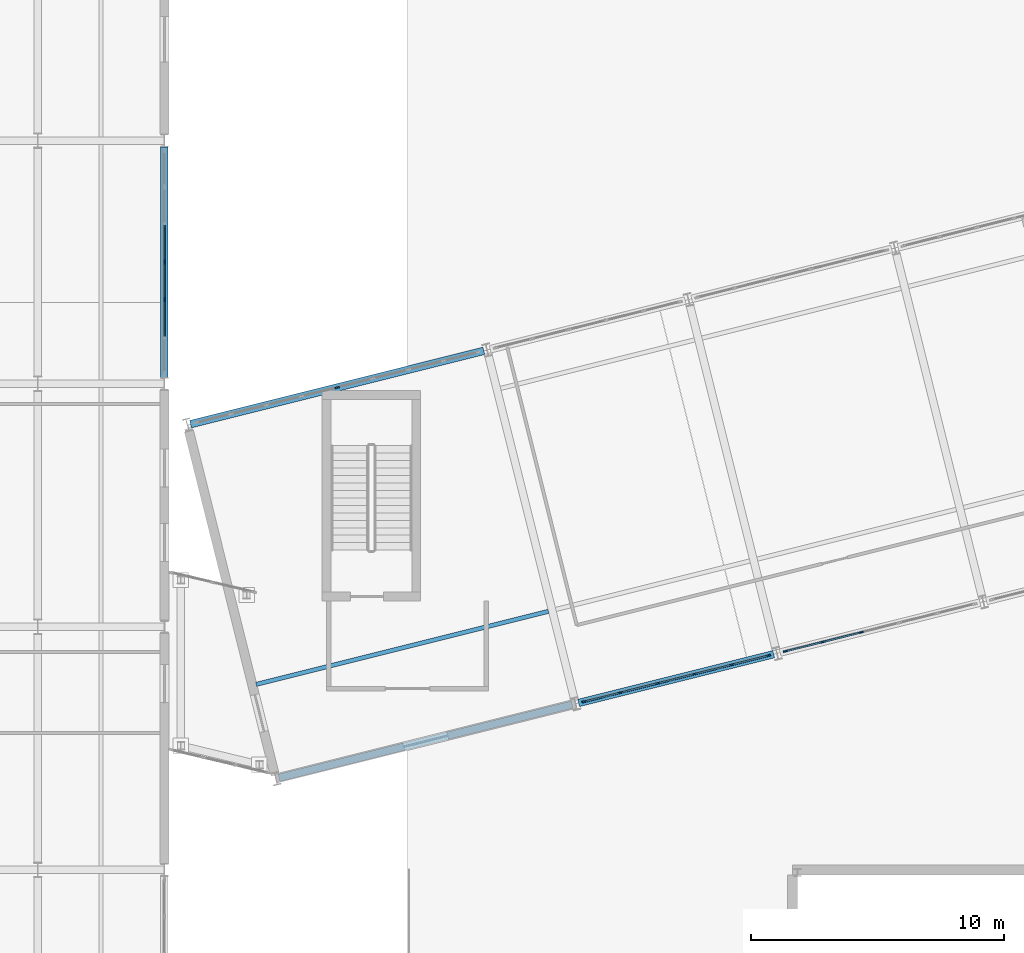
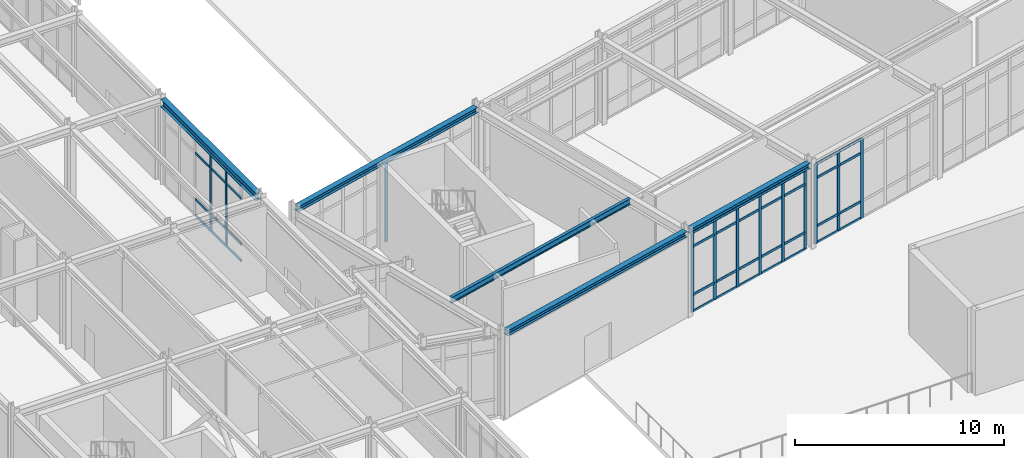
# One storey, part 25 of 109: 52 members, 5 beams, 4 elements without a shape of their own.
"""IFC4 building model written with IfcOpenShell, lengths in metres."""

from ifc_helpers import new_model, si_unit, direction, frame, origin, origin_2d, place, context, subcontext, project, spatial, rectangle, i_section, extrude, material, layer, layer_set, material_profile, profile_set, type_object, element, aggregate, save


model = new_model("IFC4")

# Units and contexts
model_context = context("Model", 3, precision=1e-05, world=origin(), true_north=direction((0.0, 1.0)))
body_context = subcontext(model_context, "Body", "Model", "MODEL_VIEW")
ifc_project = project(units=[si_unit("LENGTHUNIT", "METRE"), si_unit("AREAUNIT", "SQUARE_METRE"), si_unit("VOLUMEUNIT", "CUBIC_METRE"), si_unit("PLANEANGLEUNIT", "RADIAN"), si_unit("MASSUNIT", "GRAM", prefix="KILO")], contexts=[model_context])

# Site, building, storey
site_placement = place(None, origin())
site = spatial("IfcSite", under=ifc_project, at=site_placement, CompositionType="ELEMENT")
building_placement = place(site_placement, origin())
building = spatial("IfcBuilding", under=site, at=building_placement, Name="Nordkorset Police Headquarters", CompositionType="ELEMENT")
storey_placement = place(building_placement, origin())
storey = spatial("IfcBuildingStorey", under=building, at=storey_placement, Name="L00", CompositionType="ELEMENT", Elevation=0.0)

# Beam
ifc_material_1 = material(Name="Steel S355J2", Category="steel")
ifc_material_profile_1 = material_profile(ifc_material_1, i_section(OverallWidth=0.169921875, OverallDepth=0.360107421875, WebThickness=0.008056640625, FlangeThickness=0.0126953125, FilletRadius=0.01806640625, at=origin_2d()), Name="IPE 360")
ifc_profile_set_1 = profile_set([ifc_material_profile_1], Name="Steel S355J2")
beam_type_1 = type_object("IfcBeamType", Name="Beam_IPE_360", PredefinedType="BEAM", material=ifc_profile_set_1)
beam_1_placement = place(storey_placement, frame((22.823974609375, 45.722900390625, 4.820068359375), z_axis=(0.970141293308, 0.242540452333, 0.0), x_axis=(-0.242540452333, 0.970141293308, 0.0)))
element("IfcBeam", 1, at=beam_1_placement, inside=storey, type_object=beam_type_1, Name="Splayed Wing Secondary Beam L00 0-1", PredefinedType="BEAM", context=body_context, shape_type="SweptSolid", body=[
    extrude(i_section(OverallWidth=0.169921875, OverallDepth=0.360107421875, WebThickness=0.008056640625, FlangeThickness=0.0126953125, FilletRadius=0.01806640625, at=origin_2d()), origin(), (0.0, 0.0, 1.0), 11.89990234375),
])

# Curtain wall, members
ifc_material_2 = material(Name="Aluminium alloy AW-6060", Category="aluminium")
ifc_layer_1 = layer(ifc_material_2, 0.179931640625, Name="Aluminium alloy AW-6060")
ifc_layer_set_1 = layer_set([ifc_layer_1], Name="Aluminium alloy AW-6060")
curtain_wall_type_1 = type_object("IfcCurtainWallType", Name="CW_Unit_888x454", PredefinedType="USERDEFINED", material=ifc_layer_set_1)
curtain_wall_1_placement = place(storey_placement, origin())
curtain_wall_1 = element("IfcCurtainWall", 2, at=curtain_wall_1_placement, inside=storey, type_object=curtain_wall_type_1, Name="Unitised Curtain Wall L00 V3E-3", ObjectType="UNITISED CURTAIN WALL", PredefinedType="USERDEFINED")
ifc_material_3 = material(Name="Aluminium alloy AW-6060", Category="aluminium")
ifc_material_profile_2 = material_profile(ifc_material_3, rectangle(XDim=0.06494140625, YDim=0.179931640625, at=origin_2d()), Name="ALU MULL 65x180")
ifc_profile_set_2 = profile_set([ifc_material_profile_2], Name="Aluminium alloy AW-6060")
member_type_1 = type_object("IfcMemberType", Name="CW_Mullion_65x180", PredefinedType="MULLION", material=ifc_profile_set_2)
member_1_placement = place(storey_placement, frame((19.199951171875, 60.919921875, 0.0), z_axis=(0.0, 0.0, 1.0), x_axis=(-1.0, 0.0, 0.0)))
member_1 = element("IfcMember", 3, at=member_1_placement, type_object=member_type_1, Name="CW-82 mullion 3", PredefinedType="MULLION", context=body_context, shape_type="SweptSolid", body=[
    extrude(rectangle(XDim=0.06494140625, YDim=0.179931640625, at=origin_2d()), origin(), (0.0, 0.0, 1.0), 4.5400390625),
])
member_2_placement = place(storey_placement, frame((19.199951171875, 62.39990234375, 0.0), z_axis=(0.0, 0.0, 1.0), x_axis=(-1.0, 0.0, 0.0)))
member_2 = element("IfcMember", 4, at=member_2_placement, type_object=member_type_1, Name="CW-82 mullion 4", PredefinedType="MULLION", context=body_context, shape_type="SweptSolid", body=[
    extrude(rectangle(XDim=0.06494140625, YDim=0.179931640625, at=origin_2d()), origin(), (0.0, 0.0, 1.0), 4.5400390625),
])

# Curtain wall, member
ifc_material_4 = material(Name="Aluminium alloy AW-6060", Category="aluminium")
ifc_layer_2 = layer(ifc_material_4, 0.179931640625, Name="Aluminium alloy AW-6060")
ifc_layer_set_2 = layer_set([ifc_layer_2], Name="Aluminium alloy AW-6060")
curtain_wall_type_2 = type_object("IfcCurtainWallType", Name="CW_Unit_1156x467", PredefinedType="USERDEFINED", material=ifc_layer_set_2)
curtain_wall_2_placement = place(storey_placement, origin())
curtain_wall_2 = element("IfcCurtainWall", 5, at=curtain_wall_2_placement, inside=storey, type_object=curtain_wall_type_2, Name="Unitised Curtain Wall L00 V4N-0", ObjectType="UNITISED CURTAIN WALL", PredefinedType="USERDEFINED")
member_3_placement = place(storey_placement, frame((26.025390625, 57.449462890625, 0.0), z_axis=(0.0, 0.0, 1.0), x_axis=(-0.242536235663, 0.970142347489, 0.0)))
member_3 = element("IfcMember", 6, at=member_3_placement, type_object=member_type_1, Name="CW-93 mullion 5", PredefinedType="MULLION", context=body_context, shape_type="SweptSolid", body=[
    extrude(rectangle(XDim=0.06494140625, YDim=0.179931640625, at=origin_2d()), origin(), (0.0, 0.0, 1.0), 4.669921875),
])
aggregate(curtain_wall_2, [member_3])

# Curtain wall, members
ifc_material_5 = material(Name="Aluminium alloy AW-6060", Category="aluminium")
ifc_layer_3 = layer(ifc_material_5, 0.179931640625, Name="Aluminium alloy AW-6060")
ifc_layer_set_3 = layer_set([ifc_layer_3], Name="Aluminium alloy AW-6060")
curtain_wall_type_3 = type_object("IfcCurtainWallType", Name="CW_Unit_756x467", PredefinedType="USERDEFINED", material=ifc_layer_set_3)
curtain_wall_3_placement = place(storey_placement, origin())
curtain_wall_3 = element("IfcCurtainWall", 7, at=curtain_wall_3_placement, inside=storey, type_object=curtain_wall_type_3, Name="Unitised Curtain Wall L00 V4S-1", ObjectType="UNITISED CURTAIN WALL", PredefinedType="USERDEFINED")
member_4_placement = place(storey_placement, frame((35.777587890625, 45.04443359375, 0.0), z_axis=(0.0, 0.0, 1.0), x_axis=(-0.242535625038, 0.970142500145, 0.0)))
member_4 = element("IfcMember", 8, at=member_4_placement, type_object=member_type_1, Name="CW-54 mullion 1", PredefinedType="MULLION", context=body_context, shape_type="SweptSolid", body=[
    extrude(rectangle(XDim=0.06494140625, YDim=0.179931640625, at=origin_2d()), origin(), (0.0, 0.0, 1.0), 4.669921875),
])
member_5_placement = place(storey_placement, frame((37.213134765625, 45.4033203125, 0.0), z_axis=(0.0, 0.0, 1.0), x_axis=(-0.242535625038, 0.970142500145, 0.0)))
member_5 = element("IfcMember", 9, at=member_5_placement, type_object=member_type_1, Name="CW-54 mullion 2", PredefinedType="MULLION", context=body_context, shape_type="SweptSolid", body=[
    extrude(rectangle(XDim=0.06494140625, YDim=0.179931640625, at=origin_2d()), origin(), (0.0, 0.0, 1.0), 4.669921875),
])
member_6_placement = place(storey_placement, frame((38.679931640625, 45.77001953125, 0.0), z_axis=(0.0, 0.0, 1.0), x_axis=(-0.242535625038, 0.970142500145, 0.0)))
member_6 = element("IfcMember", 10, at=member_6_placement, type_object=member_type_1, Name="CW-54 mullion 3", PredefinedType="MULLION", context=body_context, shape_type="SweptSolid", body=[
    extrude(rectangle(XDim=0.06494140625, YDim=0.179931640625, at=origin_2d()), origin(), (0.0, 0.0, 1.0), 4.669921875),
])
member_7_placement = place(storey_placement, frame((40.146728515625, 46.13671875, 0.0), z_axis=(0.0, 0.0, 1.0), x_axis=(-0.242535625038, 0.970142500145, 0.0)))
member_7 = element("IfcMember", 11, at=member_7_placement, type_object=member_type_1, Name="CW-54 mullion 4", PredefinedType="MULLION", context=body_context, shape_type="SweptSolid", body=[
    extrude(rectangle(XDim=0.06494140625, YDim=0.179931640625, at=origin_2d()), origin(), (0.0, 0.0, 1.0), 4.669921875),
])
member_8_placement = place(storey_placement, frame((41.613525390625, 46.50341796875, 0.0), z_axis=(0.0, 0.0, 1.0), x_axis=(-0.242535625038, 0.970142500145, 0.0)))
member_8 = element("IfcMember", 12, at=member_8_placement, type_object=member_type_1, Name="CW-54 mullion 5", PredefinedType="MULLION", context=body_context, shape_type="SweptSolid", body=[
    extrude(rectangle(XDim=0.06494140625, YDim=0.179931640625, at=origin_2d()), origin(), (0.0, 0.0, 1.0), 4.669921875),
])
member_9_placement = place(storey_placement, frame((43.048828125, 46.8623046875, 0.0), z_axis=(0.0, 0.0, 1.0), x_axis=(-0.242535625038, 0.970142500145, 0.0)))
member_9 = element("IfcMember", 13, at=member_9_placement, type_object=member_type_1, Name="CW-54 mullion 6", PredefinedType="MULLION", context=body_context, shape_type="SweptSolid", body=[
    extrude(rectangle(XDim=0.06494140625, YDim=0.179931640625, at=origin_2d()), origin(), (0.0, 0.0, 1.0), 4.669921875),
])

ifc_material_6 = material(Name="Aluminium alloy AW-6060", Category="aluminium")
ifc_layer_4 = layer(ifc_material_6, 0.179931640625, Name="Aluminium alloy AW-6060")
ifc_layer_set_4 = layer_set([ifc_layer_4], Name="Aluminium alloy AW-6060")
curtain_wall_type_4 = type_object("IfcCurtainWallType", Name="CW_Unit_776x467", PredefinedType="USERDEFINED", material=ifc_layer_set_4)
curtain_wall_4_placement = place(storey_placement, origin())
curtain_wall_4 = element("IfcCurtainWall", 14, at=curtain_wall_4_placement, inside=storey, type_object=curtain_wall_type_4, Name="Unitised Curtain Wall L00 V4S-2", ObjectType="UNITISED CURTAIN WALL", PredefinedType="USERDEFINED")
member_10_placement = place(storey_placement, frame((43.73291015625, 47.033203125, 0.0), z_axis=(0.0, 0.0, 1.0), x_axis=(-0.24253471539, 0.970142727556, 0.0)))
member_10 = element("IfcMember", 15, at=member_10_placement, type_object=member_type_1, Name="CW-99 mullion 1", PredefinedType="MULLION", context=body_context, shape_type="SweptSolid", body=[
    extrude(rectangle(XDim=0.06494140625, YDim=0.179931640625, at=origin_2d()), origin(), (0.0, 0.0, 1.0), 4.669921875),
])
member_11_placement = place(storey_placement, frame((45.20703125, 47.40185546875, 0.0), z_axis=(0.0, 0.0, 1.0), x_axis=(-0.24253471539, 0.970142727556, 0.0)))
member_11 = element("IfcMember", 16, at=member_11_placement, type_object=member_type_1, Name="CW-99 mullion 2", PredefinedType="MULLION", context=body_context, shape_type="SweptSolid", body=[
    extrude(rectangle(XDim=0.06494140625, YDim=0.179931640625, at=origin_2d()), origin(), (0.0, 0.0, 1.0), 4.669921875),
])
member_12_placement = place(storey_placement, frame((46.712646484375, 47.778076171875, 0.0), z_axis=(0.0, 0.0, 1.0), x_axis=(-0.24253471539, 0.970142727556, 0.0)))
member_12 = element("IfcMember", 17, at=member_12_placement, type_object=member_type_1, Name="CW-99 mullion 3", PredefinedType="MULLION", context=body_context, shape_type="SweptSolid", body=[
    extrude(rectangle(XDim=0.06494140625, YDim=0.179931640625, at=origin_2d()), origin(), (0.0, 0.0, 1.0), 4.669921875),
])

# Member
ifc_material_7 = material(Name="Aluminium alloy AW-6060", Category="aluminium")
ifc_material_profile_3 = material_profile(ifc_material_7, rectangle(XDim=0.06494140625, YDim=0.139892578125, at=origin_2d()), Name="ALU TRAN 65x140")
ifc_profile_set_3 = profile_set([ifc_material_profile_3], Name="Aluminium alloy AW-6060")
member_type_2 = type_object("IfcMemberType", Name="CW_Transom_65x140", PredefinedType="USERDEFINED", material=ifc_profile_set_3)
member_13_placement = place(storey_placement, frame((19.199951171875, 59.472412109375, 0.032470703125), z_axis=(0.0, 1.0, 0.0), x_axis=(-1.0, 0.0, 0.0)))
member_13 = element("IfcMember", 18, at=member_13_placement, type_object=member_type_2, Name="CW-82 transom 2.1", ObjectType="TRANSOM", PredefinedType="USERDEFINED", context=body_context, shape_type="SweptSolid", body=[
    extrude(rectangle(XDim=0.06494140625, YDim=0.139892578125, at=origin_2d()), origin(), (0.0, 0.0, 1.0), 1.4150390625),
])

member_14_placement = place(storey_placement, frame((19.199951171875, 59.472412109375, 1.0), z_axis=(0.0, 1.0, 0.0), x_axis=(-1.0, 0.0, 0.0)))
member_14 = element("IfcMember", 19, at=member_14_placement, type_object=member_type_2, Name="CW-82 transom 2.2", ObjectType="TRANSOM", PredefinedType="USERDEFINED", context=body_context, shape_type="SweptSolid", body=[
    extrude(rectangle(XDim=0.06494140625, YDim=0.139892578125, at=origin_2d()), origin(), (0.0, 0.0, 1.0), 1.4150390625),
])

member_15_placement = place(storey_placement, frame((19.199951171875, 59.472412109375, 3.68994140625), z_axis=(0.0, 1.0, 0.0), x_axis=(-1.0, 0.0, 0.0)))
member_15 = element("IfcMember", 20, at=member_15_placement, type_object=member_type_2, Name="CW-82 transom 2.3", ObjectType="TRANSOM", PredefinedType="USERDEFINED", context=body_context, shape_type="SweptSolid", body=[
    extrude(rectangle(XDim=0.06494140625, YDim=0.139892578125, at=origin_2d()), origin(), (0.0, 0.0, 1.0), 1.4150390625),
])

member_16_placement = place(storey_placement, frame((19.199951171875, 59.472412109375, 4.507568359375), z_axis=(0.0, 1.0, 0.0), x_axis=(-1.0, 0.0, 0.0)))
member_16 = element("IfcMember", 21, at=member_16_placement, type_object=member_type_2, Name="CW-82 transom 2.4", ObjectType="TRANSOM", PredefinedType="USERDEFINED", context=body_context, shape_type="SweptSolid", body=[
    extrude(rectangle(XDim=0.06494140625, YDim=0.139892578125, at=origin_2d()), origin(), (0.0, 0.0, 1.0), 1.4150390625),
])

member_17_placement = place(storey_placement, frame((19.199951171875, 60.952392578125, 0.032470703125), z_axis=(0.0, 1.0, 0.0), x_axis=(-1.0, 0.0, 0.0)))
member_17 = element("IfcMember", 22, at=member_17_placement, type_object=member_type_2, Name="CW-82 transom 3.1", ObjectType="TRANSOM", PredefinedType="USERDEFINED", context=body_context, shape_type="SweptSolid", body=[
    extrude(rectangle(XDim=0.06494140625, YDim=0.139892578125, at=origin_2d()), origin(), (0.0, 0.0, 1.0), 1.4150390625),
])

member_18_placement = place(storey_placement, frame((19.199951171875, 60.952392578125, 1.0), z_axis=(0.0, 1.0, 0.0), x_axis=(-1.0, 0.0, 0.0)))
member_18 = element("IfcMember", 23, at=member_18_placement, type_object=member_type_2, Name="CW-82 transom 3.2", ObjectType="TRANSOM", PredefinedType="USERDEFINED", context=body_context, shape_type="SweptSolid", body=[
    extrude(rectangle(XDim=0.06494140625, YDim=0.139892578125, at=origin_2d()), origin(), (0.0, 0.0, 1.0), 1.4150390625),
])

member_19_placement = place(storey_placement, frame((19.199951171875, 60.952392578125, 3.68994140625), z_axis=(0.0, 1.0, 0.0), x_axis=(-1.0, 0.0, 0.0)))
member_19 = element("IfcMember", 24, at=member_19_placement, type_object=member_type_2, Name="CW-82 transom 3.3", ObjectType="TRANSOM", PredefinedType="USERDEFINED", context=body_context, shape_type="SweptSolid", body=[
    extrude(rectangle(XDim=0.06494140625, YDim=0.139892578125, at=origin_2d()), origin(), (0.0, 0.0, 1.0), 1.4150390625),
])

member_20_placement = place(storey_placement, frame((19.199951171875, 60.952392578125, 4.507568359375), z_axis=(0.0, 1.0, 0.0), x_axis=(-1.0, 0.0, 0.0)))
member_20 = element("IfcMember", 25, at=member_20_placement, type_object=member_type_2, Name="CW-82 transom 3.4", ObjectType="TRANSOM", PredefinedType="USERDEFINED", context=body_context, shape_type="SweptSolid", body=[
    extrude(rectangle(XDim=0.06494140625, YDim=0.139892578125, at=origin_2d()), origin(), (0.0, 0.0, 1.0), 1.4150390625),
])

member_21_placement = place(storey_placement, frame((19.199951171875, 62.4326171875, 0.032470703125), z_axis=(0.0, 1.0, 0.0), x_axis=(-1.0, 0.0, 0.0)))
member_21 = element("IfcMember", 26, at=member_21_placement, type_object=member_type_2, Name="CW-82 transom 4.1", ObjectType="TRANSOM", PredefinedType="USERDEFINED", context=body_context, shape_type="SweptSolid", body=[
    extrude(rectangle(XDim=0.06494140625, YDim=0.139892578125, at=origin_2d()), origin(), (0.0, 0.0, 1.0), 1.414794921875),
])

member_22_placement = place(storey_placement, frame((19.199951171875, 62.4326171875, 1.0), z_axis=(0.0, 1.0, 0.0), x_axis=(-1.0, 0.0, 0.0)))
member_22 = element("IfcMember", 27, at=member_22_placement, type_object=member_type_2, Name="CW-82 transom 4.2", ObjectType="TRANSOM", PredefinedType="USERDEFINED", context=body_context, shape_type="SweptSolid", body=[
    extrude(rectangle(XDim=0.06494140625, YDim=0.139892578125, at=origin_2d()), origin(), (0.0, 0.0, 1.0), 1.414794921875),
])

member_23_placement = place(storey_placement, frame((19.199951171875, 62.4326171875, 3.68994140625), z_axis=(0.0, 1.0, 0.0), x_axis=(-1.0, 0.0, 0.0)))
member_23 = element("IfcMember", 28, at=member_23_placement, type_object=member_type_2, Name="CW-82 transom 4.3", ObjectType="TRANSOM", PredefinedType="USERDEFINED", context=body_context, shape_type="SweptSolid", body=[
    extrude(rectangle(XDim=0.06494140625, YDim=0.139892578125, at=origin_2d()), origin(), (0.0, 0.0, 1.0), 1.414794921875),
])

member_24_placement = place(storey_placement, frame((19.199951171875, 62.4326171875, 4.507568359375), z_axis=(0.0, 1.0, 0.0), x_axis=(-1.0, 0.0, 0.0)))
member_24 = element("IfcMember", 29, at=member_24_placement, type_object=member_type_2, Name="CW-82 transom 4.4", ObjectType="TRANSOM", PredefinedType="USERDEFINED", context=body_context, shape_type="SweptSolid", body=[
    extrude(rectangle(XDim=0.06494140625, YDim=0.139892578125, at=origin_2d()), origin(), (0.0, 0.0, 1.0), 1.414794921875),
])

aggregate(curtain_wall_1, [member_1, member_2, member_13, member_14, member_15, member_16, member_17, member_18, member_19, member_20, member_21, member_22, member_23, member_24])

member_25_placement = place(storey_placement, frame((35.809326171875, 45.05224609375, 0.032470703125), z_axis=(0.970142500145, 0.242535625036, 0.0), x_axis=(-0.242535625036, 0.970142500145, 0.0)))
member_25 = element("IfcMember", 30, at=member_25_placement, type_object=member_type_2, Name="CW-54 transom 1.1", ObjectType="TRANSOM", PredefinedType="USERDEFINED", context=body_context, shape_type="SweptSolid", body=[
    extrude(rectangle(XDim=0.06494140625, YDim=0.139892578125, at=origin_2d()), origin(), (0.0, 0.0, 1.0), 1.414306640625),
])

member_26_placement = place(storey_placement, frame((35.809326171875, 45.05224609375, 1.0), z_axis=(0.970142500145, 0.242535625036, 0.0), x_axis=(-0.242535625036, 0.970142500145, 0.0)))
member_26 = element("IfcMember", 31, at=member_26_placement, type_object=member_type_2, Name="CW-54 transom 1.2", ObjectType="TRANSOM", PredefinedType="USERDEFINED", context=body_context, shape_type="SweptSolid", body=[
    extrude(rectangle(XDim=0.06494140625, YDim=0.139892578125, at=origin_2d()), origin(), (0.0, 0.0, 1.0), 1.414306640625),
])

member_27_placement = place(storey_placement, frame((35.809326171875, 45.05224609375, 3.820068359375), z_axis=(0.970142500145, 0.242535625036, 0.0), x_axis=(-0.242535625036, 0.970142500145, 0.0)))
member_27 = element("IfcMember", 32, at=member_27_placement, type_object=member_type_2, Name="CW-54 transom 1.3", ObjectType="TRANSOM", PredefinedType="USERDEFINED", context=body_context, shape_type="SweptSolid", body=[
    extrude(rectangle(XDim=0.06494140625, YDim=0.139892578125, at=origin_2d()), origin(), (0.0, 0.0, 1.0), 1.414306640625),
])

member_28_placement = place(storey_placement, frame((35.809326171875, 45.05224609375, 4.637451171875), z_axis=(0.970142500145, 0.242535625036, 0.0), x_axis=(-0.242535625036, 0.970142500145, 0.0)))
member_28 = element("IfcMember", 33, at=member_28_placement, type_object=member_type_2, Name="CW-54 transom 1.4", ObjectType="TRANSOM", PredefinedType="USERDEFINED", context=body_context, shape_type="SweptSolid", body=[
    extrude(rectangle(XDim=0.06494140625, YDim=0.139892578125, at=origin_2d()), origin(), (0.0, 0.0, 1.0), 1.414306640625),
])

member_29_placement = place(storey_placement, frame((37.24462890625, 45.4111328125, 0.032470703125), z_axis=(0.97012264784, 0.242615020451, 0.0), x_axis=(-0.242615020451, 0.97012264784, 0.0)))
member_29 = element("IfcMember", 34, at=member_29_placement, type_object=member_type_2, Name="CW-54 transom 2.1", ObjectType="TRANSOM", PredefinedType="USERDEFINED", context=body_context, shape_type="SweptSolid", body=[
    extrude(rectangle(XDim=0.06494140625, YDim=0.139892578125, at=origin_2d()), origin(), (0.0, 0.0, 1.0), 1.447021484375),
])

member_30_placement = place(storey_placement, frame((37.24462890625, 45.4111328125, 1.0), z_axis=(0.97012264784, 0.242615020451, 0.0), x_axis=(-0.242615020451, 0.97012264784, 0.0)))
member_30 = element("IfcMember", 35, at=member_30_placement, type_object=member_type_2, Name="CW-54 transom 2.2", ObjectType="TRANSOM", PredefinedType="USERDEFINED", context=body_context, shape_type="SweptSolid", body=[
    extrude(rectangle(XDim=0.06494140625, YDim=0.139892578125, at=origin_2d()), origin(), (0.0, 0.0, 1.0), 1.447021484375),
])

member_31_placement = place(storey_placement, frame((37.24462890625, 45.4111328125, 3.820068359375), z_axis=(0.97012264784, 0.242615020451, 0.0), x_axis=(-0.242615020451, 0.97012264784, 0.0)))
member_31 = element("IfcMember", 36, at=member_31_placement, type_object=member_type_2, Name="CW-54 transom 2.3", ObjectType="TRANSOM", PredefinedType="USERDEFINED", context=body_context, shape_type="SweptSolid", body=[
    extrude(rectangle(XDim=0.06494140625, YDim=0.139892578125, at=origin_2d()), origin(), (0.0, 0.0, 1.0), 1.447021484375),
])

member_32_placement = place(storey_placement, frame((37.24462890625, 45.4111328125, 4.637451171875), z_axis=(0.97012264784, 0.242615020451, 0.0), x_axis=(-0.242615020451, 0.97012264784, 0.0)))
member_32 = element("IfcMember", 37, at=member_32_placement, type_object=member_type_2, Name="CW-54 transom 2.4", ObjectType="TRANSOM", PredefinedType="USERDEFINED", context=body_context, shape_type="SweptSolid", body=[
    extrude(rectangle(XDim=0.06494140625, YDim=0.139892578125, at=origin_2d()), origin(), (0.0, 0.0, 1.0), 1.447021484375),
])

member_33_placement = place(storey_placement, frame((38.71142578125, 45.77783203125, 0.032470703125), z_axis=(0.97012264784, 0.242615020451, 0.0), x_axis=(-0.242615020451, 0.97012264784, 0.0)))
member_33 = element("IfcMember", 38, at=member_33_placement, type_object=member_type_2, Name="CW-54 transom 3.1", ObjectType="TRANSOM", PredefinedType="USERDEFINED", context=body_context, shape_type="SweptSolid", body=[
    extrude(rectangle(XDim=0.06494140625, YDim=0.139892578125, at=origin_2d()), origin(), (0.0, 0.0, 1.0), 1.447021484375),
])

member_34_placement = place(storey_placement, frame((38.71142578125, 45.77783203125, 1.0), z_axis=(0.97012264784, 0.242615020451, 0.0), x_axis=(-0.242615020451, 0.97012264784, 0.0)))
member_34 = element("IfcMember", 39, at=member_34_placement, type_object=member_type_2, Name="CW-54 transom 3.2", ObjectType="TRANSOM", PredefinedType="USERDEFINED", context=body_context, shape_type="SweptSolid", body=[
    extrude(rectangle(XDim=0.06494140625, YDim=0.139892578125, at=origin_2d()), origin(), (0.0, 0.0, 1.0), 1.447021484375),
])

member_35_placement = place(storey_placement, frame((38.71142578125, 45.77783203125, 3.820068359375), z_axis=(0.97012264784, 0.242615020451, 0.0), x_axis=(-0.242615020451, 0.97012264784, 0.0)))
member_35 = element("IfcMember", 40, at=member_35_placement, type_object=member_type_2, Name="CW-54 transom 3.3", ObjectType="TRANSOM", PredefinedType="USERDEFINED", context=body_context, shape_type="SweptSolid", body=[
    extrude(rectangle(XDim=0.06494140625, YDim=0.139892578125, at=origin_2d()), origin(), (0.0, 0.0, 1.0), 1.447021484375),
])

member_36_placement = place(storey_placement, frame((38.71142578125, 45.77783203125, 4.637451171875), z_axis=(0.97012264784, 0.242615020451, 0.0), x_axis=(-0.242615020451, 0.97012264784, 0.0)))
member_36 = element("IfcMember", 41, at=member_36_placement, type_object=member_type_2, Name="CW-54 transom 3.4", ObjectType="TRANSOM", PredefinedType="USERDEFINED", context=body_context, shape_type="SweptSolid", body=[
    extrude(rectangle(XDim=0.06494140625, YDim=0.139892578125, at=origin_2d()), origin(), (0.0, 0.0, 1.0), 1.447021484375),
])

member_37_placement = place(storey_placement, frame((40.17822265625, 46.14453125, 0.032470703125), z_axis=(0.97012264784, 0.242615020451, 0.0), x_axis=(-0.242615020451, 0.97012264784, 0.0)))
member_37 = element("IfcMember", 42, at=member_37_placement, type_object=member_type_2, Name="CW-54 transom 4.1", ObjectType="TRANSOM", PredefinedType="USERDEFINED", context=body_context, shape_type="SweptSolid", body=[
    extrude(rectangle(XDim=0.06494140625, YDim=0.139892578125, at=origin_2d()), origin(), (0.0, 0.0, 1.0), 1.447021484375),
])

member_38_placement = place(storey_placement, frame((40.17822265625, 46.14453125, 1.0), z_axis=(0.97012264784, 0.242615020451, 0.0), x_axis=(-0.242615020451, 0.97012264784, 0.0)))
member_38 = element("IfcMember", 43, at=member_38_placement, type_object=member_type_2, Name="CW-54 transom 4.2", ObjectType="TRANSOM", PredefinedType="USERDEFINED", context=body_context, shape_type="SweptSolid", body=[
    extrude(rectangle(XDim=0.06494140625, YDim=0.139892578125, at=origin_2d()), origin(), (0.0, 0.0, 1.0), 1.447021484375),
])

member_39_placement = place(storey_placement, frame((40.17822265625, 46.14453125, 3.820068359375), z_axis=(0.97012264784, 0.242615020451, 0.0), x_axis=(-0.242615020451, 0.97012264784, 0.0)))
member_39 = element("IfcMember", 44, at=member_39_placement, type_object=member_type_2, Name="CW-54 transom 4.3", ObjectType="TRANSOM", PredefinedType="USERDEFINED", context=body_context, shape_type="SweptSolid", body=[
    extrude(rectangle(XDim=0.06494140625, YDim=0.139892578125, at=origin_2d()), origin(), (0.0, 0.0, 1.0), 1.447021484375),
])

member_40_placement = place(storey_placement, frame((40.17822265625, 46.14453125, 4.637451171875), z_axis=(0.97012264784, 0.242615020451, 0.0), x_axis=(-0.242615020451, 0.97012264784, 0.0)))
member_40 = element("IfcMember", 45, at=member_40_placement, type_object=member_type_2, Name="CW-54 transom 4.4", ObjectType="TRANSOM", PredefinedType="USERDEFINED", context=body_context, shape_type="SweptSolid", body=[
    extrude(rectangle(XDim=0.06494140625, YDim=0.139892578125, at=origin_2d()), origin(), (0.0, 0.0, 1.0), 1.447021484375),
])

member_41_placement = place(storey_placement, frame((41.64501953125, 46.51123046875, 0.032470703125), z_axis=(0.970152651902, 0.242495014396, 0.0), x_axis=(-0.242495014396, 0.970152651902, 0.0)))
member_41 = element("IfcMember", 46, at=member_41_placement, type_object=member_type_2, Name="CW-54 transom 5.1", ObjectType="TRANSOM", PredefinedType="USERDEFINED", context=body_context, shape_type="SweptSolid", body=[
    extrude(rectangle(XDim=0.06494140625, YDim=0.139892578125, at=origin_2d()), origin(), (0.0, 0.0, 1.0), 1.41455078125),
])

member_42_placement = place(storey_placement, frame((41.64501953125, 46.51123046875, 1.0), z_axis=(0.970152651902, 0.242495014396, 0.0), x_axis=(-0.242495014396, 0.970152651902, 0.0)))
member_42 = element("IfcMember", 47, at=member_42_placement, type_object=member_type_2, Name="CW-54 transom 5.2", ObjectType="TRANSOM", PredefinedType="USERDEFINED", context=body_context, shape_type="SweptSolid", body=[
    extrude(rectangle(XDim=0.06494140625, YDim=0.139892578125, at=origin_2d()), origin(), (0.0, 0.0, 1.0), 1.41455078125),
])

member_43_placement = place(storey_placement, frame((41.64501953125, 46.51123046875, 3.820068359375), z_axis=(0.970152651902, 0.242495014396, 0.0), x_axis=(-0.242495014396, 0.970152651902, 0.0)))
member_43 = element("IfcMember", 48, at=member_43_placement, type_object=member_type_2, Name="CW-54 transom 5.3", ObjectType="TRANSOM", PredefinedType="USERDEFINED", context=body_context, shape_type="SweptSolid", body=[
    extrude(rectangle(XDim=0.06494140625, YDim=0.139892578125, at=origin_2d()), origin(), (0.0, 0.0, 1.0), 1.41455078125),
])

member_44_placement = place(storey_placement, frame((41.64501953125, 46.51123046875, 4.637451171875), z_axis=(0.970152651902, 0.242495014396, 0.0), x_axis=(-0.242495014396, 0.970152651902, 0.0)))
member_44 = element("IfcMember", 49, at=member_44_placement, type_object=member_type_2, Name="CW-54 transom 5.4", ObjectType="TRANSOM", PredefinedType="USERDEFINED", context=body_context, shape_type="SweptSolid", body=[
    extrude(rectangle(XDim=0.06494140625, YDim=0.139892578125, at=origin_2d()), origin(), (0.0, 0.0, 1.0), 1.41455078125),
])

aggregate(curtain_wall_3, [member_4, member_5, member_6, member_7, member_8, member_9, member_25, member_26, member_27, member_28, member_29, member_30, member_31, member_32, member_33, member_34, member_35, member_36, member_37, member_38, member_39, member_40, member_41, member_42, member_43, member_44])

member_45_placement = place(storey_placement, frame((43.764404296875, 47.041015625, 0.032470703125), z_axis=(0.970142500145, 0.242535625036, 0.0), x_axis=(-0.242535625036, 0.970142500145, 0.0)))
member_45 = element("IfcMember", 50, at=member_45_placement, type_object=member_type_2, Name="CW-99 transom 1.1", ObjectType="TRANSOM", PredefinedType="USERDEFINED", context=body_context, shape_type="SweptSolid", body=[
    extrude(rectangle(XDim=0.06494140625, YDim=0.139892578125, at=origin_2d()), origin(), (0.0, 0.0, 1.0), 1.45458984375),
])

member_46_placement = place(storey_placement, frame((43.764404296875, 47.041015625, 1.0), z_axis=(0.970142500145, 0.242535625036, 0.0), x_axis=(-0.242535625036, 0.970142500145, 0.0)))
member_46 = element("IfcMember", 51, at=member_46_placement, type_object=member_type_2, Name="CW-99 transom 1.2", ObjectType="TRANSOM", PredefinedType="USERDEFINED", context=body_context, shape_type="SweptSolid", body=[
    extrude(rectangle(XDim=0.06494140625, YDim=0.139892578125, at=origin_2d()), origin(), (0.0, 0.0, 1.0), 1.45458984375),
])

member_47_placement = place(storey_placement, frame((43.764404296875, 47.041015625, 3.820068359375), z_axis=(0.970142500145, 0.242535625036, 0.0), x_axis=(-0.242535625036, 0.970142500145, 0.0)))
member_47 = element("IfcMember", 52, at=member_47_placement, type_object=member_type_2, Name="CW-99 transom 1.3", ObjectType="TRANSOM", PredefinedType="USERDEFINED", context=body_context, shape_type="SweptSolid", body=[
    extrude(rectangle(XDim=0.06494140625, YDim=0.139892578125, at=origin_2d()), origin(), (0.0, 0.0, 1.0), 1.45458984375),
])

member_48_placement = place(storey_placement, frame((43.764404296875, 47.041015625, 4.637451171875), z_axis=(0.970142500145, 0.242535625036, 0.0), x_axis=(-0.242535625036, 0.970142500145, 0.0)))
member_48 = element("IfcMember", 53, at=member_48_placement, type_object=member_type_2, Name="CW-99 transom 1.4", ObjectType="TRANSOM", PredefinedType="USERDEFINED", context=body_context, shape_type="SweptSolid", body=[
    extrude(rectangle(XDim=0.06494140625, YDim=0.139892578125, at=origin_2d()), origin(), (0.0, 0.0, 1.0), 1.45458984375),
])

member_49_placement = place(storey_placement, frame((45.238525390625, 47.40966796875, 0.032470703125), z_axis=(0.970152157148, 0.242496993757, 0.0), x_axis=(-0.242496993757, 0.970152157148, 0.0)))
member_49 = element("IfcMember", 54, at=member_49_placement, type_object=member_type_2, Name="CW-99 transom 2.1", ObjectType="TRANSOM", PredefinedType="USERDEFINED", context=body_context, shape_type="SweptSolid", body=[
    extrude(rectangle(XDim=0.06494140625, YDim=0.139892578125, at=origin_2d()), origin(), (0.0, 0.0, 1.0), 1.487060546875),
])

member_50_placement = place(storey_placement, frame((45.238525390625, 47.40966796875, 1.0), z_axis=(0.970152157148, 0.242496993757, 0.0), x_axis=(-0.242496993757, 0.970152157148, 0.0)))
member_50 = element("IfcMember", 55, at=member_50_placement, type_object=member_type_2, Name="CW-99 transom 2.2", ObjectType="TRANSOM", PredefinedType="USERDEFINED", context=body_context, shape_type="SweptSolid", body=[
    extrude(rectangle(XDim=0.06494140625, YDim=0.139892578125, at=origin_2d()), origin(), (0.0, 0.0, 1.0), 1.487060546875),
])

member_51_placement = place(storey_placement, frame((45.238525390625, 47.40966796875, 3.820068359375), z_axis=(0.970152157148, 0.242496993757, 0.0), x_axis=(-0.242496993757, 0.970152157148, 0.0)))
member_51 = element("IfcMember", 56, at=member_51_placement, type_object=member_type_2, Name="CW-99 transom 2.3", ObjectType="TRANSOM", PredefinedType="USERDEFINED", context=body_context, shape_type="SweptSolid", body=[
    extrude(rectangle(XDim=0.06494140625, YDim=0.139892578125, at=origin_2d()), origin(), (0.0, 0.0, 1.0), 1.487060546875),
])

member_52_placement = place(storey_placement, frame((45.238525390625, 47.40966796875, 4.637451171875), z_axis=(0.970152157148, 0.242496993757, 0.0), x_axis=(-0.242496993757, 0.970152157148, 0.0)))
member_52 = element("IfcMember", 57, at=member_52_placement, type_object=member_type_2, Name="CW-99 transom 2.4", ObjectType="TRANSOM", PredefinedType="USERDEFINED", context=body_context, shape_type="SweptSolid", body=[
    extrude(rectangle(XDim=0.06494140625, YDim=0.139892578125, at=origin_2d()), origin(), (0.0, 0.0, 1.0), 1.487060546875),
])

aggregate(curtain_wall_4, [member_10, member_11, member_12, member_45, member_46, member_47, member_48, member_49, member_50, member_51, member_52])

# Beams
ifc_material_8 = material(Name="Steel S355J2", Category="steel")
ifc_material_profile_4 = material_profile(ifc_material_8, i_section(OverallWidth=0.300048828125, OverallDepth=0.43994140625, WebThickness=0.011474609375, FlangeThickness=0.02099609375, FilletRadius=0.027099609375, at=origin_2d()), Name="HEA 450")
ifc_profile_set_4 = profile_set([ifc_material_profile_4], Name="Steel S355J2")
beam_type_2 = type_object("IfcBeamType", Name="Girder_HEA_450", PredefinedType="USERDEFINED", material=ifc_profile_set_4)
beam_2_placement = place(storey_placement, frame((19.199951171875, 57.85009765625, 4.780029296875), z_axis=(0.0, 1.0, 0.0), x_axis=(-1.0, 0.0, 0.0)))
element("IfcBeam", 58, at=beam_2_placement, inside=storey, type_object=beam_type_2, Name="Girder V3 L00 GY-3-3", ObjectType="GIRDER", PredefinedType="USERDEFINED", context=body_context, shape_type="SweptSolid", body=[
    extrude(i_section(OverallWidth=0.300048828125, OverallDepth=0.43994140625, WebThickness=0.011474609375, FlangeThickness=0.02099609375, FilletRadius=0.027099609375, at=origin_2d()), origin(), (0.0, 0.0, 1.0), 9.099853515625),
])
ifc_material_9 = material(Name="Steel S355J2", Category="steel")
ifc_material_profile_5 = material_profile(ifc_material_9, i_section(OverallWidth=0.300048828125, OverallDepth=0.31005859375, WebThickness=0.009033203125, FlangeThickness=0.015380859375, FilletRadius=0.027099609375, at=origin_2d()), Name="HEA 320")
ifc_profile_set_5 = profile_set([ifc_material_profile_5], Name="Steel S355J2")
beam_type_3 = type_object("IfcBeamType", Name="Spandrel_HEA_320", PredefinedType="SPANDREL", material=ifc_profile_set_5)
for number, where, z_axis, x_axis, name in (
    (59, (23.72607421875, 42.031494140625, 4.844970703125), (0.970140094539, 0.242545247258, 0.0), (-0.242545247258, 0.970140094539, 0.0), "Splayed Wing Spandrel L00 0-0"),
    (60, (20.233642578125, 56.00146484375, 4.844970703125), (0.970140094539, 0.242545247258, 0.0), (-0.242545247258, 0.970140094539, 0.0), "Splayed Wing Spandrel L00 0-1"),
):
    element("IfcBeam", number, at=place(storey_placement, frame(where, z_axis=z_axis, x_axis=x_axis)), inside=storey, type_object=beam_type_3, Name=name, PredefinedType="SPANDREL", context=body_context, shape_type="SweptSolid", body=[
        extrude(i_section(OverallWidth=0.300048828125, OverallDepth=0.31005859375, WebThickness=0.009033203125, FlangeThickness=0.015380859375, FilletRadius=0.027099609375, at=origin_2d()), origin(), (0.0, 0.0, 1.0), 11.93994140625),
    ])
beam_3_placement = place(storey_placement, frame((35.561767578125, 44.990478515625, 4.844970703125), z_axis=(0.970142500145, 0.242535625036, 0.0), x_axis=(-0.242535625036, 0.970142500145, 0.0)))
element("IfcBeam", 61, at=beam_3_placement, inside=storey, type_object=beam_type_3, Name="Splayed Wing Spandrel L00 1-0", PredefinedType="SPANDREL", context=body_context, shape_type="SweptSolid", body=[
    extrude(i_section(OverallWidth=0.300048828125, OverallDepth=0.31005859375, WebThickness=0.009033203125, FlangeThickness=0.015380859375, FilletRadius=0.027099609375, at=origin_2d()), origin(), (0.0, 0.0, 1.0), 7.940185546875),
])

save(model, "model.ifc")
